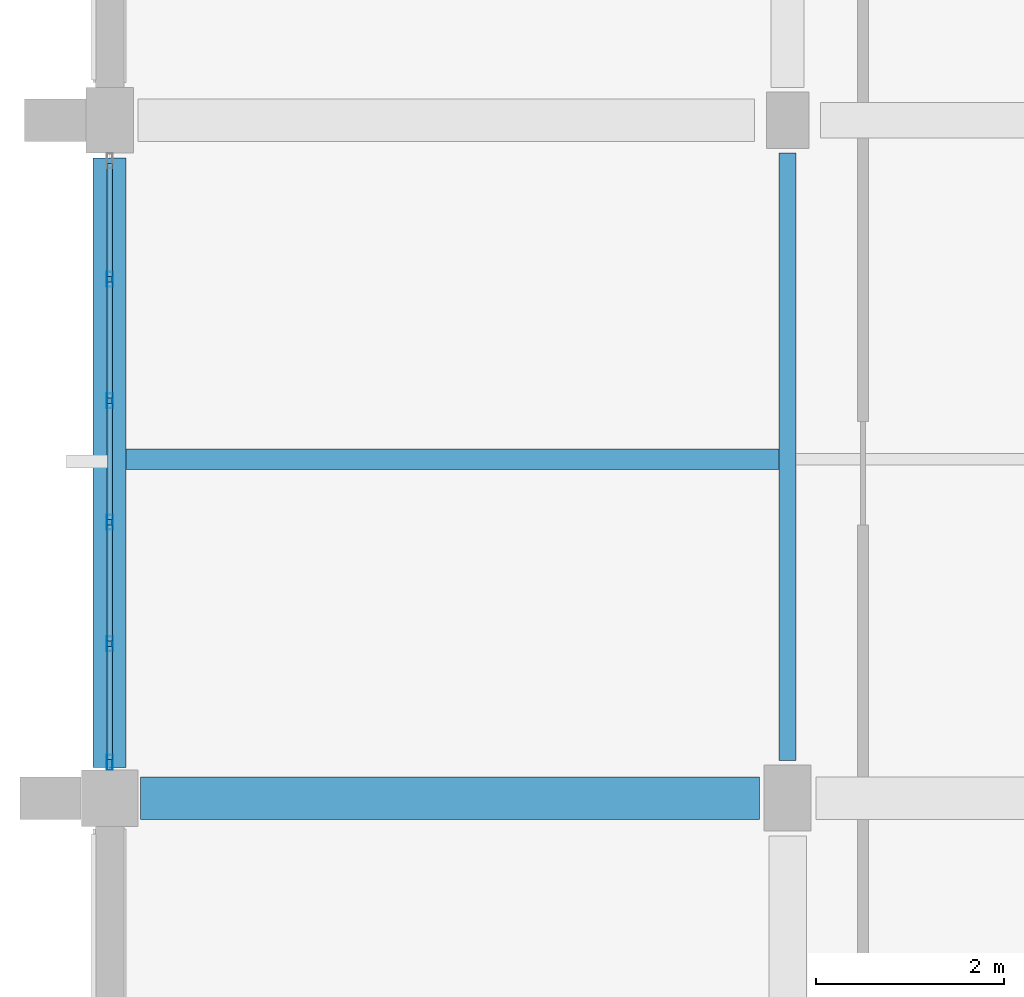
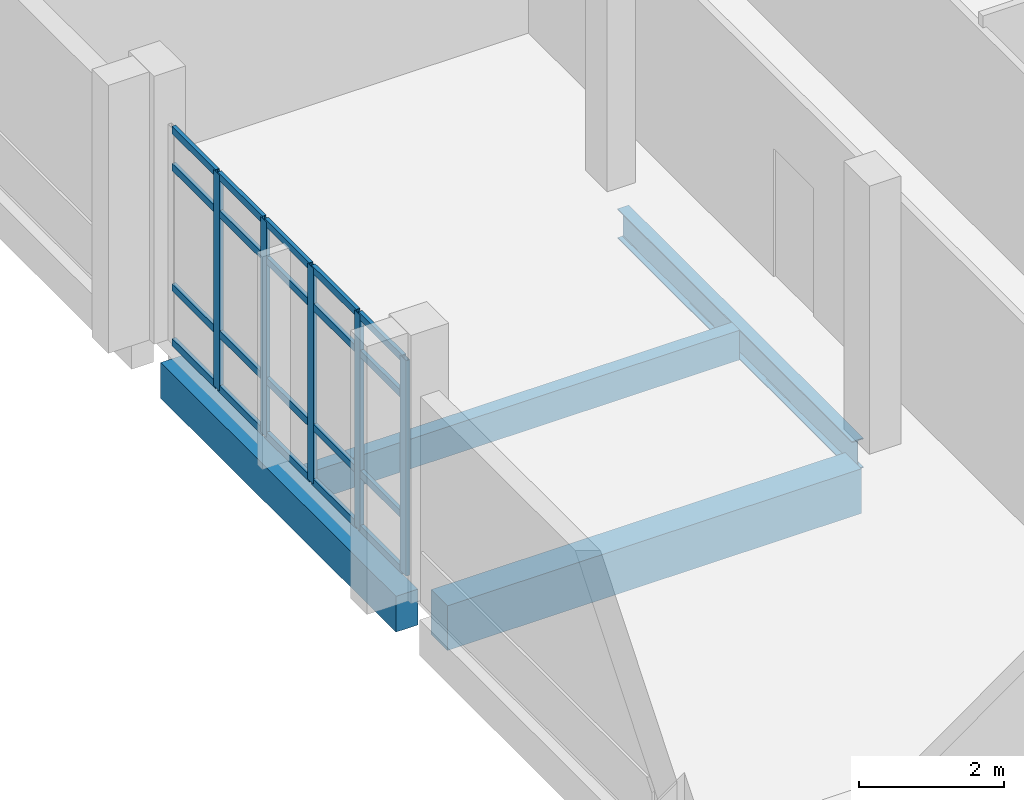
# One storey, part 19 of 87: 25 members, 4 beams, 1 element without a shape of its own.
"""IFC4 building model written with IfcOpenShell, lengths in metres."""

from ifc_helpers import new_model, si_unit, direction, frame, origin, origin_2d, place, context, subcontext, project, spatial, rectangle, hollow_rectangle, i_section, extrude, material, material_profile, profile_set, type_object, element, aggregate, save


model = new_model("IFC4")

# Units and contexts
model_context = context("Model", 3, precision=1e-05, world=origin(), true_north=direction((0.0, 1.0)))
body_context = subcontext(model_context, "Body", "Model", "MODEL_VIEW")
ifc_project = project(units=[si_unit("LENGTHUNIT", "METRE"), si_unit("AREAUNIT", "SQUARE_METRE"), si_unit("VOLUMEUNIT", "CUBIC_METRE"), si_unit("PLANEANGLEUNIT", "RADIAN"), si_unit("MASSUNIT", "GRAM", prefix="KILO")], contexts=[model_context])

# Site, building, storey
site_placement = place(None, origin())
site = spatial("IfcSite", under=ifc_project, at=site_placement, CompositionType="ELEMENT")
building_placement = place(site_placement, origin())
building = spatial("IfcBuilding", under=site, at=building_placement, Name="Kalluvel Institute of Natural Sciences", CompositionType="ELEMENT")
storey_placement = place(building_placement, frame((0.0, 0.0, 18.89990234375)))
storey = spatial("IfcBuildingStorey", under=building, at=storey_placement, Name="L04", CompositionType="ELEMENT", Elevation=18.89990234375)

# Beams
ifc_material_1 = material(Name="Steel E350 Grade 350", Category="steel")
ifc_material_profile_1 = material_profile(ifc_material_1, i_section(OverallWidth=0.179931640625, OverallDepth=0.5, WebThickness=0.01025390625, FlangeThickness=0.01708984375, FilletRadius=0.01708984375, at=origin_2d()), Name="ISMB 500")
ifc_profile_set_1 = profile_set([ifc_material_profile_1], Name="Steel E350 Grade 350")
beam_type_1 = type_object("IfcBeamType", Name="BM-ISMB500", PredefinedType="BEAM", material=ifc_profile_set_1)
beam_1_placement = place(storey_placement, frame((21.199951171875, 72.0, -0.5498046875), z_axis=(0.0, 1.0, 0.0), x_axis=(-1.0, 0.0, 0.0)))
element("IfcBeam", 1, at=beam_1_placement, inside=storey, type_object=beam_type_1, Name="L04 girder GIR-L04-NS-X212-Y716", PredefinedType="BEAM", context=body_context, shape_type="SweptSolid", body=[
    extrude(i_section(OverallWidth=0.179931640625, OverallDepth=0.5, WebThickness=0.01025390625, FlangeThickness=0.01708984375, FilletRadius=0.01708984375, at=origin_2d()), origin(), (0.0, 0.0, 1.0), 6.449951171875),
])
ifc_material_2 = material(Name="Concrete M40", Category="concrete")
ifc_material_profile_2 = material_profile(ifc_material_2, rectangle(XDim=0.449951171875, YDim=0.75, at=origin_2d()), Name="RCB 450x750")
ifc_profile_set_2 = profile_set([ifc_material_profile_2], Name="Concrete M40")
beam_type_2 = type_object("IfcBeamType", Name="BM-RC450x750", PredefinedType="BEAM", material=ifc_profile_set_2)
beam_2_placement = place(storey_placement, frame((14.324951171875, 71.60009765625, -0.6748046875), z_axis=(1.0, 0.0, 0.0), x_axis=(0.0, 1.0, 0.0)))
element("IfcBeam", 2, at=beam_2_placement, inside=storey, type_object=beam_type_2, Name="L04 girder GIR-L04-EW-X140-Y716", PredefinedType="BEAM", context=body_context, shape_type="SweptSolid", body=[
    extrude(rectangle(XDim=0.449951171875, YDim=0.75, at=origin_2d()), origin(), (0.0, 0.0, 1.0), 6.574951171875),
])

# Curtain wall, members
ifc_material_3 = material(Name="Aluminium AW-6063 T6", Category="aluminium")
curtain_wall_type = type_object("IfcCurtainWallType", Name="CW-DRY-45", PredefinedType="USERDEFINED", material=ifc_material_3)
curtain_wall_placement = place(storey_placement, origin())
curtain_wall = element("IfcCurtainWall", 3, at=curtain_wall_placement, inside=storey, type_object=curtain_wall_type, Name="L04 Gothic lancet curtain wall CWA-L04-X140-Y720", ObjectType="UNITISED LANCET FACADE", PredefinedType="USERDEFINED")
ifc_material_profile_3 = material_profile(ifc_material_3, hollow_rectangle(XDim=0.06005859375, YDim=0.159912109375, WallThickness=0.00390625, at=origin_2d()), Name="CWM 60x160")
ifc_profile_set_3 = profile_set([ifc_material_profile_3], Name="Aluminium AW-6063 T6")
member_type_1 = type_object("IfcMemberType", Name="CWM-60x160", PredefinedType="MULLION", material=ifc_profile_set_3)
member_1_placement = place(storey_placement, frame((14.0, 71.97998046875, 0.0), z_axis=(0.0, 0.0, 1.0), x_axis=(-1.0, 0.0, 0.0)))
member_1 = element("IfcMember", 4, at=member_1_placement, type_object=member_type_1, Name="CW-03 mullion 1", PredefinedType="MULLION", context=body_context, shape_type="SweptSolid", body=[
    extrude(hollow_rectangle(XDim=0.06005859375, YDim=0.159912109375, WallThickness=0.00390625, at=origin_2d()), origin(), (0.0, 0.0, 1.0), 3.6201171875),
])
member_2_placement = place(storey_placement, frame((14.0, 73.239990234375, 0.0), z_axis=(0.0, 0.0, 1.0), x_axis=(-1.0, 0.0, 0.0)))
member_2 = element("IfcMember", 5, at=member_2_placement, type_object=member_type_1, Name="CW-03 mullion 2", PredefinedType="MULLION", context=body_context, shape_type="SweptSolid", body=[
    extrude(hollow_rectangle(XDim=0.06005859375, YDim=0.159912109375, WallThickness=0.00390625, at=origin_2d()), origin(), (0.0, 0.0, 1.0), 3.6201171875),
])
member_3_placement = place(storey_placement, frame((14.0, 74.530029296875, 0.0), z_axis=(0.0, 0.0, 1.0), x_axis=(-1.0, 0.0, 0.0)))
member_3 = element("IfcMember", 6, at=member_3_placement, type_object=member_type_1, Name="CW-03 mullion 3", PredefinedType="MULLION", context=body_context, shape_type="SweptSolid", body=[
    extrude(hollow_rectangle(XDim=0.06005859375, YDim=0.159912109375, WallThickness=0.00390625, at=origin_2d()), origin(), (0.0, 0.0, 1.0), 3.6201171875),
])
member_4_placement = place(storey_placement, frame((14.0, 75.820068359375, 0.0), z_axis=(0.0, 0.0, 1.0), x_axis=(-1.0, 0.0, 0.0)))
member_4 = element("IfcMember", 7, at=member_4_placement, type_object=member_type_1, Name="CW-03 mullion 4", PredefinedType="MULLION", context=body_context, shape_type="SweptSolid", body=[
    extrude(hollow_rectangle(XDim=0.06005859375, YDim=0.159912109375, WallThickness=0.00390625, at=origin_2d()), origin(), (0.0, 0.0, 1.0), 3.6201171875),
])
member_5_placement = place(storey_placement, frame((14.0, 77.110107421875, 0.0), z_axis=(0.0, 0.0, 1.0), x_axis=(-1.0, 0.0, 0.0)))
member_5 = element("IfcMember", 8, at=member_5_placement, type_object=member_type_1, Name="CW-03 mullion 5", PredefinedType="MULLION", context=body_context, shape_type="SweptSolid", body=[
    extrude(hollow_rectangle(XDim=0.06005859375, YDim=0.159912109375, WallThickness=0.00390625, at=origin_2d()), origin(), (0.0, 0.0, 1.0), 3.6201171875),
])
ifc_material_profile_4 = material_profile(ifc_material_3, hollow_rectangle(XDim=0.06005859375, YDim=0.1201171875, WallThickness=0.00390625, at=origin_2d()), Name="CWT 60x120")
ifc_profile_set_4 = profile_set([ifc_material_profile_4], Name="Aluminium AW-6063 T6")
member_type_2 = type_object("IfcMemberType", Name="CWT-60x120", PredefinedType="USERDEFINED", material=ifc_profile_set_4)
member_6_placement = place(storey_placement, frame((14.0, 72.010009765625, 0.030029296875), z_axis=(0.0, 1.0, 0.0), x_axis=(-1.0, 0.0, 0.0)))
member_6 = element("IfcMember", 9, at=member_6_placement, type_object=member_type_2, Name="CW-03 transom 1.1", ObjectType="TRANSOM", PredefinedType="USERDEFINED", context=body_context, shape_type="SweptSolid", body=[
    extrude(hollow_rectangle(XDim=0.06005859375, YDim=0.1201171875, WallThickness=0.00390625, at=origin_2d()), origin(), (0.0, 0.0, 1.0), 1.199951171875),
])
member_7_placement = place(storey_placement, frame((14.0, 72.010009765625, 0.9501953125), z_axis=(0.0, 1.0, 0.0), x_axis=(-1.0, 0.0, 0.0)))
member_7 = element("IfcMember", 10, at=member_7_placement, type_object=member_type_2, Name="CW-03 transom 1.2", ObjectType="TRANSOM", PredefinedType="USERDEFINED", context=body_context, shape_type="SweptSolid", body=[
    extrude(hollow_rectangle(XDim=0.06005859375, YDim=0.1201171875, WallThickness=0.00390625, at=origin_2d()), origin(), (0.0, 0.0, 1.0), 1.199951171875),
])
member_8_placement = place(storey_placement, frame((14.0, 72.010009765625, 2.97021484375), z_axis=(0.0, 1.0, 0.0), x_axis=(-1.0, 0.0, 0.0)))
member_8 = element("IfcMember", 11, at=member_8_placement, type_object=member_type_2, Name="CW-03 transom 1.3", ObjectType="TRANSOM", PredefinedType="USERDEFINED", context=body_context, shape_type="SweptSolid", body=[
    extrude(hollow_rectangle(XDim=0.06005859375, YDim=0.1201171875, WallThickness=0.00390625, at=origin_2d()), origin(), (0.0, 0.0, 1.0), 1.199951171875),
])
member_9_placement = place(storey_placement, frame((14.0, 72.010009765625, 3.590087890625), z_axis=(0.0, 1.0, 0.0), x_axis=(-1.0, 0.0, 0.0)))
member_9 = element("IfcMember", 12, at=member_9_placement, type_object=member_type_2, Name="CW-03 transom 1.4", ObjectType="TRANSOM", PredefinedType="USERDEFINED", context=body_context, shape_type="SweptSolid", body=[
    extrude(hollow_rectangle(XDim=0.06005859375, YDim=0.1201171875, WallThickness=0.00390625, at=origin_2d()), origin(), (0.0, 0.0, 1.0), 1.199951171875),
])
member_10_placement = place(storey_placement, frame((14.0, 73.27001953125, 0.030029296875), z_axis=(0.0, 1.0, 0.0), x_axis=(-1.0, 0.0, 0.0)))
member_10 = element("IfcMember", 13, at=member_10_placement, type_object=member_type_2, Name="CW-03 transom 2.1", ObjectType="TRANSOM", PredefinedType="USERDEFINED", context=body_context, shape_type="SweptSolid", body=[
    extrude(hollow_rectangle(XDim=0.06005859375, YDim=0.1201171875, WallThickness=0.00390625, at=origin_2d()), origin(), (0.0, 0.0, 1.0), 1.22998046875),
])
member_11_placement = place(storey_placement, frame((14.0, 73.27001953125, 0.9501953125), z_axis=(0.0, 1.0, 0.0), x_axis=(-1.0, 0.0, 0.0)))
member_11 = element("IfcMember", 14, at=member_11_placement, type_object=member_type_2, Name="CW-03 transom 2.2", ObjectType="TRANSOM", PredefinedType="USERDEFINED", context=body_context, shape_type="SweptSolid", body=[
    extrude(hollow_rectangle(XDim=0.06005859375, YDim=0.1201171875, WallThickness=0.00390625, at=origin_2d()), origin(), (0.0, 0.0, 1.0), 1.22998046875),
])
member_12_placement = place(storey_placement, frame((14.0, 73.27001953125, 2.97021484375), z_axis=(0.0, 1.0, 0.0), x_axis=(-1.0, 0.0, 0.0)))
member_12 = element("IfcMember", 15, at=member_12_placement, type_object=member_type_2, Name="CW-03 transom 2.3", ObjectType="TRANSOM", PredefinedType="USERDEFINED", context=body_context, shape_type="SweptSolid", body=[
    extrude(hollow_rectangle(XDim=0.06005859375, YDim=0.1201171875, WallThickness=0.00390625, at=origin_2d()), origin(), (0.0, 0.0, 1.0), 1.22998046875),
])
member_13_placement = place(storey_placement, frame((14.0, 73.27001953125, 3.590087890625), z_axis=(0.0, 1.0, 0.0), x_axis=(-1.0, 0.0, 0.0)))
member_13 = element("IfcMember", 16, at=member_13_placement, type_object=member_type_2, Name="CW-03 transom 2.4", ObjectType="TRANSOM", PredefinedType="USERDEFINED", context=body_context, shape_type="SweptSolid", body=[
    extrude(hollow_rectangle(XDim=0.06005859375, YDim=0.1201171875, WallThickness=0.00390625, at=origin_2d()), origin(), (0.0, 0.0, 1.0), 1.22998046875),
])
member_14_placement = place(storey_placement, frame((14.0, 74.56005859375, 0.030029296875), z_axis=(0.0, 1.0, 0.0), x_axis=(-1.0, 0.0, 0.0)))
member_14 = element("IfcMember", 17, at=member_14_placement, type_object=member_type_2, Name="CW-03 transom 3.1", ObjectType="TRANSOM", PredefinedType="USERDEFINED", context=body_context, shape_type="SweptSolid", body=[
    extrude(hollow_rectangle(XDim=0.06005859375, YDim=0.1201171875, WallThickness=0.00390625, at=origin_2d()), origin(), (0.0, 0.0, 1.0), 1.22998046875),
])
member_15_placement = place(storey_placement, frame((14.0, 74.56005859375, 0.9501953125), z_axis=(0.0, 1.0, 0.0), x_axis=(-1.0, 0.0, 0.0)))
member_15 = element("IfcMember", 18, at=member_15_placement, type_object=member_type_2, Name="CW-03 transom 3.2", ObjectType="TRANSOM", PredefinedType="USERDEFINED", context=body_context, shape_type="SweptSolid", body=[
    extrude(hollow_rectangle(XDim=0.06005859375, YDim=0.1201171875, WallThickness=0.00390625, at=origin_2d()), origin(), (0.0, 0.0, 1.0), 1.22998046875),
])
member_16_placement = place(storey_placement, frame((14.0, 74.56005859375, 2.97021484375), z_axis=(0.0, 1.0, 0.0), x_axis=(-1.0, 0.0, 0.0)))
member_16 = element("IfcMember", 19, at=member_16_placement, type_object=member_type_2, Name="CW-03 transom 3.3", ObjectType="TRANSOM", PredefinedType="USERDEFINED", context=body_context, shape_type="SweptSolid", body=[
    extrude(hollow_rectangle(XDim=0.06005859375, YDim=0.1201171875, WallThickness=0.00390625, at=origin_2d()), origin(), (0.0, 0.0, 1.0), 1.22998046875),
])
member_17_placement = place(storey_placement, frame((14.0, 74.56005859375, 3.590087890625), z_axis=(0.0, 1.0, 0.0), x_axis=(-1.0, 0.0, 0.0)))
member_17 = element("IfcMember", 20, at=member_17_placement, type_object=member_type_2, Name="CW-03 transom 3.4", ObjectType="TRANSOM", PredefinedType="USERDEFINED", context=body_context, shape_type="SweptSolid", body=[
    extrude(hollow_rectangle(XDim=0.06005859375, YDim=0.1201171875, WallThickness=0.00390625, at=origin_2d()), origin(), (0.0, 0.0, 1.0), 1.22998046875),
])
member_18_placement = place(storey_placement, frame((14.0, 75.85009765625, 0.030029296875), z_axis=(0.0, 1.0, 0.0), x_axis=(-1.0, 0.0, 0.0)))
member_18 = element("IfcMember", 21, at=member_18_placement, type_object=member_type_2, Name="CW-03 transom 4.1", ObjectType="TRANSOM", PredefinedType="USERDEFINED", context=body_context, shape_type="SweptSolid", body=[
    extrude(hollow_rectangle(XDim=0.06005859375, YDim=0.1201171875, WallThickness=0.00390625, at=origin_2d()), origin(), (0.0, 0.0, 1.0), 1.22998046875),
])
member_19_placement = place(storey_placement, frame((14.0, 75.85009765625, 0.9501953125), z_axis=(0.0, 1.0, 0.0), x_axis=(-1.0, 0.0, 0.0)))
member_19 = element("IfcMember", 22, at=member_19_placement, type_object=member_type_2, Name="CW-03 transom 4.2", ObjectType="TRANSOM", PredefinedType="USERDEFINED", context=body_context, shape_type="SweptSolid", body=[
    extrude(hollow_rectangle(XDim=0.06005859375, YDim=0.1201171875, WallThickness=0.00390625, at=origin_2d()), origin(), (0.0, 0.0, 1.0), 1.22998046875),
])
member_20_placement = place(storey_placement, frame((14.0, 75.85009765625, 2.97021484375), z_axis=(0.0, 1.0, 0.0), x_axis=(-1.0, 0.0, 0.0)))
member_20 = element("IfcMember", 23, at=member_20_placement, type_object=member_type_2, Name="CW-03 transom 4.3", ObjectType="TRANSOM", PredefinedType="USERDEFINED", context=body_context, shape_type="SweptSolid", body=[
    extrude(hollow_rectangle(XDim=0.06005859375, YDim=0.1201171875, WallThickness=0.00390625, at=origin_2d()), origin(), (0.0, 0.0, 1.0), 1.22998046875),
])
member_21_placement = place(storey_placement, frame((14.0, 75.85009765625, 3.590087890625), z_axis=(0.0, 1.0, 0.0), x_axis=(-1.0, 0.0, 0.0)))
member_21 = element("IfcMember", 24, at=member_21_placement, type_object=member_type_2, Name="CW-03 transom 4.4", ObjectType="TRANSOM", PredefinedType="USERDEFINED", context=body_context, shape_type="SweptSolid", body=[
    extrude(hollow_rectangle(XDim=0.06005859375, YDim=0.1201171875, WallThickness=0.00390625, at=origin_2d()), origin(), (0.0, 0.0, 1.0), 1.22998046875),
])
member_22_placement = place(storey_placement, frame((14.0, 77.139892578125, 0.030029296875), z_axis=(0.0, 1.0, 0.0), x_axis=(-1.0, 0.0, 0.0)))
member_22 = element("IfcMember", 25, at=member_22_placement, type_object=member_type_2, Name="CW-03 transom 5.1", ObjectType="TRANSOM", PredefinedType="USERDEFINED", context=body_context, shape_type="SweptSolid", body=[
    extrude(hollow_rectangle(XDim=0.06005859375, YDim=0.1201171875, WallThickness=0.00390625, at=origin_2d()), origin(), (0.0, 0.0, 1.0), 1.2001953125),
])
member_23_placement = place(storey_placement, frame((14.0, 77.139892578125, 0.9501953125), z_axis=(0.0, 1.0, 0.0), x_axis=(-1.0, 0.0, 0.0)))
member_23 = element("IfcMember", 26, at=member_23_placement, type_object=member_type_2, Name="CW-03 transom 5.2", ObjectType="TRANSOM", PredefinedType="USERDEFINED", context=body_context, shape_type="SweptSolid", body=[
    extrude(hollow_rectangle(XDim=0.06005859375, YDim=0.1201171875, WallThickness=0.00390625, at=origin_2d()), origin(), (0.0, 0.0, 1.0), 1.2001953125),
])
member_24_placement = place(storey_placement, frame((14.0, 77.139892578125, 2.97021484375), z_axis=(0.0, 1.0, 0.0), x_axis=(-1.0, 0.0, 0.0)))
member_24 = element("IfcMember", 27, at=member_24_placement, type_object=member_type_2, Name="CW-03 transom 5.3", ObjectType="TRANSOM", PredefinedType="USERDEFINED", context=body_context, shape_type="SweptSolid", body=[
    extrude(hollow_rectangle(XDim=0.06005859375, YDim=0.1201171875, WallThickness=0.00390625, at=origin_2d()), origin(), (0.0, 0.0, 1.0), 1.2001953125),
])
member_25_placement = place(storey_placement, frame((14.0, 77.139892578125, 3.590087890625), z_axis=(0.0, 1.0, 0.0), x_axis=(-1.0, 0.0, 0.0)))
member_25 = element("IfcMember", 28, at=member_25_placement, type_object=member_type_2, Name="CW-03 transom 5.4", ObjectType="TRANSOM", PredefinedType="USERDEFINED", context=body_context, shape_type="SweptSolid", body=[
    extrude(hollow_rectangle(XDim=0.06005859375, YDim=0.1201171875, WallThickness=0.00390625, at=origin_2d()), origin(), (0.0, 0.0, 1.0), 1.2001953125),
])
aggregate(curtain_wall, [member_1, member_2, member_3, member_4, member_5, member_6, member_7, member_8, member_9, member_10, member_11, member_12, member_13, member_14, member_15, member_16, member_17, member_18, member_19, member_20, member_21, member_22, member_23, member_24, member_25])

# Beams
ifc_material_profile_5 = material_profile(ifc_material_2, rectangle(XDim=0.35009765625, YDim=0.60009765625, at=origin_2d()), Name="RCB 350x600")
ifc_profile_set_5 = profile_set([ifc_material_profile_5], Name="Concrete M40")
beam_type_3 = type_object("IfcBeamType", Name="SP-RC350x600", PredefinedType="SPANDREL", material=ifc_profile_set_5)
beam_3_placement = place(storey_placement, frame((14.0, 71.925048828125, -0.599853515625), z_axis=(0.0, 1.0, 0.0), x_axis=(-1.0, 0.0, 0.0)))
element("IfcBeam", 29, at=beam_3_placement, inside=storey, type_object=beam_type_3, Name="L04 girder GIR-L04-NS-X140-Y716", PredefinedType="SPANDREL", context=body_context, shape_type="SweptSolid", body=[
    extrude(rectangle(XDim=0.35009765625, YDim=0.60009765625, at=origin_2d()), origin(), (0.0, 0.0, 1.0), 6.474853515625),
])
ifc_material_profile_6 = material_profile(ifc_material_2, rectangle(XDim=0.219970703125, YDim=0.5, at=origin_2d()), Name="WAF 220x500")
ifc_profile_set_6 = profile_set([ifc_material_profile_6], Name="Concrete M40")
beam_type_4 = type_object("IfcBeamType", Name="WJ-220x500", PredefinedType="JOIST", material=ifc_profile_set_6)
beam_4_placement = place(storey_placement, frame((14.175048828125, 75.199951171875, -0.5498046875), z_axis=(1.0, 0.0, 0.0), x_axis=(0.0, 1.0, 0.0)))
element("IfcBeam", 30, at=beam_4_placement, inside=storey, type_object=beam_type_4, Name="L04 floor rib RIB-L04-0728", PredefinedType="JOIST", context=body_context, shape_type="SweptSolid", body=[
    extrude(rectangle(XDim=0.219970703125, YDim=0.5, at=origin_2d()), origin(), (0.0, 0.0, 1.0), 6.93505859375),
])

save(model, "model.ifc")
